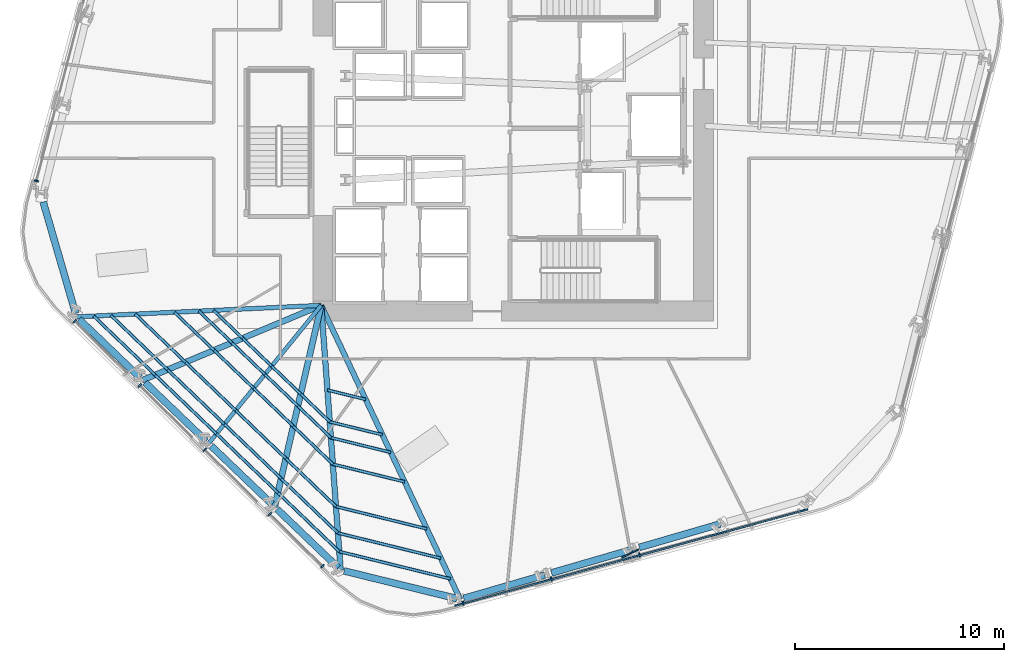
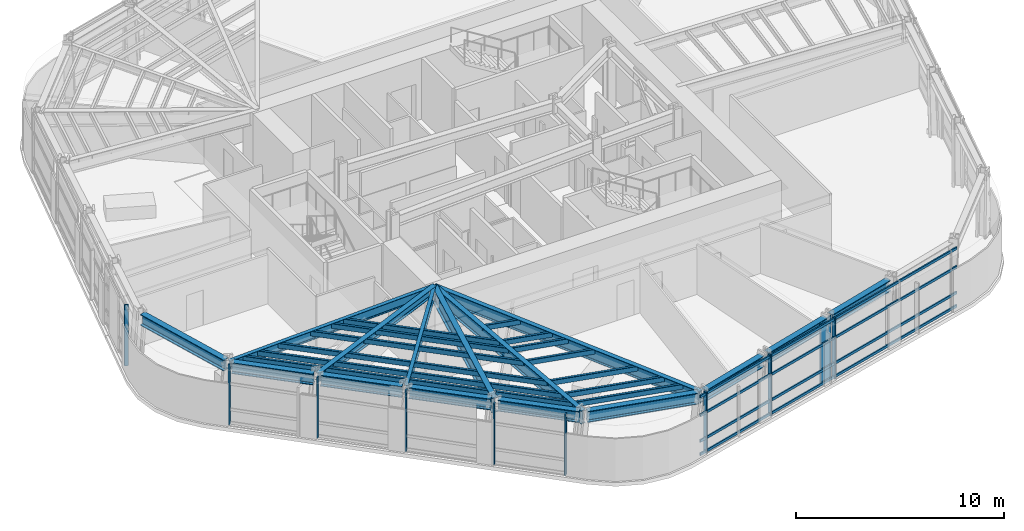
# One storey, part 2 of 16: 45 members, 15 beams, 3 elements without a shape of their own.
"""IFC4 building model written with IfcOpenShell, lengths in metres."""

import ifcopenshell
import ifcopenshell.guid

model = None  # the IFC model being written
_history = None  # IfcOwnerHistory: only IFC2X3 demands one
_inside = {}  # id of a spatial element -> (the spatial element, [elements in it])
_under = {}  # id of a project, library or spatial element -> (it, [spatial elements below it])
_declared = {}  # id of a project -> (the project, [libraries it declares])
_typed = {}  # id of a type object -> (the type object, [elements of that type])
_made_of = {}  # id of a material, layer set ... -> (it, [elements and type objects made of it])


def new_model(schema):
    """Start an empty IFC model of exactly this schema.

    Asked for "IFC4X3", IfcOpenShell would pick the latest addendum, in which some entities
    have other attributes; the version numbers below select the first issue.
    IFC2X3 requires an IfcOwnerHistory on every rooted entity: one is made here for all.
    """
    global model, _history
    if schema == "IFC4X3":
        model = ifcopenshell.file(schema_version=(4, 3, 0, 0))
    else:
        model = ifcopenshell.file(schema=schema)
    _inside.clear()
    _under.clear()
    _declared.clear()
    _typed.clear()
    _made_of.clear()
    _history = None
    if model.schema == "IFC2X3":
        org = make("IfcOrganization", Name="unknown")
        user = make(
            "IfcPersonAndOrganization",
            ThePerson=make("IfcPerson", FamilyName="unknown"),
            TheOrganization=org,
        )
        app = make(
            "IfcApplication",
            ApplicationDeveloper=org,
            Version="unknown",
            ApplicationFullName="unknown",
            ApplicationIdentifier="unknown",
        )
        _history = make(
            "IfcOwnerHistory",
            OwningUser=user,
            OwningApplication=app,
            ChangeAction="ADDED",
            CreationDate=0,
        )
    return model


def make(cls, **values):
    """One entity of the class cls with the attributes given. An attribute that is None is left unset."""
    return model.create_entity(
        cls, **{name: value for name, value in values.items() if value is not None}
    )


def rooted(cls, **values):
    """An entity with a GlobalId (a new one), such as an element, a storey or a relation."""
    return make(cls, GlobalId=ifcopenshell.guid.new(), OwnerHistory=_history, **values)


def si_unit(unit_type, name, prefix=None):
    """IfcSIUnit, for example si_unit("LENGTHUNIT", "METRE", prefix="MILLI")."""
    return make("IfcSIUnit", UnitType=unit_type, Prefix=prefix, Name=name)


def assignment(units):
    """IfcUnitAssignment: the units of a project."""
    return None if units is None else make("IfcUnitAssignment", Units=units)


def point(xyz):
    """IfcCartesianPoint."""
    return None if xyz is None else make("IfcCartesianPoint", Coordinates=xyz)


def direction(xyz):
    """IfcDirection."""
    return None if xyz is None else make("IfcDirection", DirectionRatios=xyz)


def frame(location, z_axis=None, x_axis=None):
    """IfcAxis2Placement3D, a coordinate frame: its origin and axes. An axis left out is left unset."""
    return make(
        "IfcAxis2Placement3D",
        Location=point(location),
        Axis=direction(z_axis),
        RefDirection=direction(x_axis),
    )


def frame_2d(location, x_axis=None):
    """IfcAxis2Placement2D, a coordinate frame in the plane: its origin and x axis."""
    return make(
        "IfcAxis2Placement2D", Location=point(location), RefDirection=direction(x_axis)
    )


def origin():
    """The frame at (0, 0, 0) with its axes left unset."""
    return frame((0.0, 0.0, 0.0))


def origin_2d():
    """The frame at (0, 0) in the plane with its x axis left unset."""
    return frame_2d((0.0, 0.0))


def place(relative_to, where):
    """IfcLocalPlacement: puts the frame where relative to a parent placement (None: the world)."""
    return make(
        "IfcLocalPlacement", PlacementRelTo=relative_to, RelativePlacement=where
    )


def context(
    kind, dimensions, precision=None, world=None, true_north=None, identifier=None
):
    """IfcGeometricRepresentationContext, for example the 3D "Model" context."""
    return make(
        "IfcGeometricRepresentationContext",
        ContextIdentifier=identifier,
        ContextType=kind,
        CoordinateSpaceDimension=dimensions,
        Precision=precision,
        WorldCoordinateSystem=world,
        TrueNorth=true_north,
    )


def subcontext(parent, identifier, kind, view, scale=None):
    """IfcGeometricRepresentationSubContext, for example "Body" below "Model"."""
    return make(
        "IfcGeometricRepresentationSubContext",
        ContextIdentifier=identifier,
        ContextType=kind,
        ParentContext=parent,
        TargetScale=scale,
        TargetView=view,
    )


def project(units=None, contexts=None):
    """IfcProject with its units and contexts."""
    return rooted(
        "IfcProject",
        Name="project",
        RepresentationContexts=contexts,
        UnitsInContext=assignment(units),
    )


def spatial(cls, under=None, at=None, **own):
    """A site, building, storey or space (cls), placed at a placement, below another one or the project."""
    s = rooted(cls, ObjectPlacement=at, **own)
    if under is not None:
        _under.setdefault(under.id(), (under, []))[1].append(s)
    return s


def profile(cls, at=None, kind="AREA", **sizes):
    """A parametric profile (cls). Its sizes go by their IFC names, for example OverallWidth=200.0."""
    return make(cls, ProfileType=kind, Position=at, **sizes)


def rectangle(**sizes):
    """IfcRectangleProfileDef."""
    return profile("IfcRectangleProfileDef", **sizes)


def hollow_rectangle(**sizes):
    """IfcRectangleHollowProfileDef."""
    return profile("IfcRectangleHollowProfileDef", **sizes)


def i_section(**sizes):
    """IfcIShapeProfileDef."""
    return profile("IfcIShapeProfileDef", **sizes)


def extrude(swept, where, along, depth):
    """IfcExtrudedAreaSolid: the profile swept, set in the frame where, extruded along a direction by depth."""
    return make(
        "IfcExtrudedAreaSolid",
        SweptArea=swept,
        Position=where,
        ExtrudedDirection=direction(along),
        Depth=depth,
    )


def shape(context_of_items, identifier, shape_type, items):
    """IfcShapeRepresentation: the items that make up one representation, for example the "Body"."""
    return make(
        "IfcShapeRepresentation",
        ContextOfItems=context_of_items,
        RepresentationIdentifier=identifier,
        RepresentationType=shape_type,
        Items=items,
    )


def material(Name=None, Category=None):
    """IfcMaterial."""
    return make("IfcMaterial", Name=Name, Category=Category)


def layer(
    of_material, thickness, ventilated=None, Name=None, Category=None, Priority=None
):
    """IfcMaterialLayer: one layer of a wall or slab, of a material (None: an air gap)."""
    return make(
        "IfcMaterialLayer",
        Material=of_material,
        LayerThickness=thickness,
        IsVentilated=ventilated,
        Name=Name,
        Category=Category,
        Priority=Priority,
    )


def layer_set(layers, Name=None):
    """IfcMaterialLayerSet."""
    return make("IfcMaterialLayerSet", MaterialLayers=layers, LayerSetName=Name)


def material_profile(
    of_material, cross_section, Name=None, Category=None, Priority=None
):
    """IfcMaterialProfile: a cross section and its material."""
    return make(
        "IfcMaterialProfile",
        Name=Name,
        Material=of_material,
        Profile=cross_section,
        Priority=Priority,
        Category=Category,
    )


def profile_set(profiles, Name=None, composite=None):
    """IfcMaterialProfileSet."""
    return make(
        "IfcMaterialProfileSet",
        Name=Name,
        MaterialProfiles=profiles,
        CompositeProfile=composite,
    )


def made_of(thing, what):
    """Note that an element or type object is made of a material, layer set ...; save() writes the relation."""
    if what is not None:
        _made_of.setdefault(what.id(), (what, []))[1].append(thing)
    return thing


def type_object(cls, material=None, **own):
    """A type object (cls), such as IfcWallType, which elements share."""
    return made_of(rooted(cls, **own), material)


def element(
    cls,
    number,
    at=None,
    inside=None,
    cuts=None,
    type_object=None,
    material=None,
    context=None,
    identifier="Body",
    shape_type=None,
    held_by="IfcProductDefinitionShape",
    body=None,
    shapes=None,
    **own,
):
    """One element of the class cls, such as IfcWall. Its Tag is "e" and its number.

    at: its placement. inside: the storey or other place that contains it. cuts: it is an
    opening in that element (IfcRelVoidsElement). A single representation is given by context,
    identifier, shape_type and body (its items); several are given by shapes. held_by: the class
    of the entity that holds the representations. save() writes the other relations.
    """
    e = rooted(cls, Tag="e%d" % number, ObjectPlacement=at, **own)
    if body is not None:
        shapes = [shape(context, identifier, shape_type, body)]
    if shapes is not None:
        e.Representation = make(held_by, Representations=shapes)
    if inside is not None:
        _inside.setdefault(inside.id(), (inside, []))[1].append(e)
    if cuts is not None:
        rooted(
            "IfcRelVoidsElement", RelatingBuildingElement=cuts, RelatedOpeningElement=e
        )
    if type_object is not None:
        _typed.setdefault(type_object.id(), (type_object, []))[1].append(e)
    return made_of(e, material)


def aggregate(whole, parts):
    """IfcRelAggregates: a whole, such as a stair, and the parts it consists of."""
    return rooted("IfcRelAggregates", RelatingObject=whole, RelatedObjects=parts)


def save(model, path):
    """Write the relations noted so far, then the file.

    IfcRelAggregates (storeys below a building ...), IfcRelContainedInSpatialStructure (elements
    in a storey), IfcRelDefinesByType, IfcRelAssociatesMaterial and IfcRelDeclares: one each for
    every whole, place, type object, material and project.
    """
    for whole, parts in _under.values():
        aggregate(whole, parts)
    for where, things in _inside.values():
        rooted(
            "IfcRelContainedInSpatialStructure",
            RelatedElements=things,
            RelatingStructure=where,
        )
    for kind, things in _typed.values():
        rooted("IfcRelDefinesByType", RelatedObjects=things, RelatingType=kind)
    for what, things in _made_of.values():
        rooted("IfcRelAssociatesMaterial", RelatedObjects=things, RelatingMaterial=what)
    for by, libraries in _declared.values():
        rooted("IfcRelDeclares", RelatingContext=by, RelatedDefinitions=libraries)
    model.write(path)


model = new_model("IFC4")

# Units and contexts
model_context = context("Model", 3, precision=1e-05, world=origin(), true_north=direction((0.0, 1.0)))
body_context = subcontext(model_context, "Body", "Model", "MODEL_VIEW")
ifc_project = project(units=[si_unit("LENGTHUNIT", "METRE"), si_unit("AREAUNIT", "SQUARE_METRE"), si_unit("VOLUMEUNIT", "CUBIC_METRE"), si_unit("PLANEANGLEUNIT", "RADIAN"), si_unit("MASSUNIT", "GRAM", prefix="KILO")], contexts=[model_context])

# Site, building, storey
site_placement = place(None, origin())
site = spatial("IfcSite", under=ifc_project, at=site_placement, CompositionType="ELEMENT")
building_placement = place(site_placement, origin())
building = spatial("IfcBuilding", under=site, at=building_placement, Name="Valkerne Bourse Tower", CompositionType="ELEMENT")
storey_placement = place(building_placement, frame((0.0, 0.0, 89.60009765625)))
storey = spatial("IfcBuildingStorey", under=building, at=storey_placement, Name="L22", CompositionType="ELEMENT", Elevation=89.60009765625)

# Beams
ifc_material_1 = material(Name="Steel ASTM A992", Category="steel")
ifc_material_profile_1 = material_profile(ifc_material_1, i_section(OverallWidth=0.1904296875, OverallDepth=0.457275390625, WebThickness=0.009033203125, FlangeThickness=0.014404296875, FilletRadius=0.01513671875, at=origin_2d()), Name="W18X50")
ifc_profile_set_1 = profile_set([ifc_material_profile_1], Name="Steel ASTM A992")
beam_type_1 = type_object("IfcBeamType", Name="BM-W18X50", PredefinedType="JOIST", material=ifc_profile_set_1)
beam_1_placement = place(storey_placement, frame((32.204345703125, 11.77978515625, 3.351318359375), z_axis=(0.631784296619, 0.775144246283, 0.0), x_axis=(-0.775144246283, 0.631784296619, 0.0)))
element("IfcBeam", 1, at=beam_1_placement, inside=storey, type_object=beam_type_1, Name="L22 Radial Composite Floor Beam 17", PredefinedType="JOIST", context=body_context, shape_type="SweptSolid", body=[
    extrude(i_section(OverallWidth=0.1904296875, OverallDepth=0.457275390625, WebThickness=0.009033203125, FlangeThickness=0.014404296875, FilletRadius=0.01513671875, at=origin_2d()), origin(), (0.0, 0.0, 1.0), 8.54052734375),
])
ifc_material_profile_2 = material_profile(ifc_material_1, i_section(OverallWidth=0.279296875, OverallDepth=0.46240234375, WebThickness=0.0107421875, FlangeThickness=0.017333984375, FilletRadius=0.017822265625, at=origin_2d()), Name="W18X76")
ifc_profile_set_2 = profile_set([ifc_material_profile_2], Name="Steel ASTM A992")
beam_type_2 = type_object("IfcBeamType", Name="BM-W18X76", PredefinedType="BEAM", material=ifc_profile_set_2)
beam_2_placement = place(storey_placement, frame((29.040771484375, 14.8134765625, 3.348876953125), z_axis=(0.922308440975, 0.386454576512, 0.0), x_axis=(-0.386454576512, 0.922308440975, 0.0)))
element("IfcBeam", 2, at=beam_2_placement, inside=storey, type_object=beam_type_2, Name="L22 Radial Composite Floor Beam 16", PredefinedType="BEAM", context=body_context, shape_type="SweptSolid", body=[
    extrude(i_section(OverallWidth=0.279296875, OverallDepth=0.46240234375, WebThickness=0.0107421875, FlangeThickness=0.017333984375, FilletRadius=0.017822265625, at=origin_2d()), origin(), (0.0, 0.0, 1.0), 9.2802734375),
])
ifc_material_profile_3 = material_profile(ifc_material_1, i_section(OverallWidth=0.209228515625, OverallDepth=0.533447265625, WebThickness=0.01025390625, FlangeThickness=0.015625, FilletRadius=0.017822265625, at=origin_2d()), Name="W21X62")
ifc_profile_set_3 = profile_set([ifc_material_profile_3], Name="Steel ASTM A992")
beam_type_3 = type_object("IfcBeamType", Name="BM-W21X62", PredefinedType="JOIST", material=ifc_profile_set_3)
beam_3_placement = place(storey_placement, frame((25.877197265625, 17.84716796875, 3.313232421875), z_axis=(0.998890290193, 0.047097644938, 0.0), x_axis=(-0.047097644938, 0.998890290193, 0.0)))
element("IfcBeam", 3, at=beam_3_placement, inside=storey, type_object=beam_type_3, Name="L22 Radial Composite Floor Beam 15", PredefinedType="JOIST", context=body_context, shape_type="SweptSolid", body=[
    extrude(i_section(OverallWidth=0.209228515625, OverallDepth=0.533447265625, WebThickness=0.01025390625, FlangeThickness=0.015625, FilletRadius=0.017822265625, at=origin_2d()), origin(), (0.0, 0.0, 1.0), 11.73583984375),
])
ifc_material_profile_4 = material_profile(ifc_material_1, i_section(OverallWidth=0.330078125, OverallDepth=0.647705078125, WebThickness=0.0205078125, FlangeThickness=0.037109375, FilletRadius=0.020263671875, at=origin_2d()), Name="W24X192")
ifc_profile_set_4 = profile_set([ifc_material_profile_4], Name="Steel ASTM A992")
beam_type_4 = type_object("IfcBeamType", Name="BM-W24X192", PredefinedType="SPANDREL", material=ifc_profile_set_4)
beam_4_placement = place(storey_placement, frame((24.27734375, 23.35400390625, 3.256103515625), z_axis=(0.279000763263, -0.960290879941, 0.0), x_axis=(0.960290879941, 0.279000763263, 0.0)))
element("IfcBeam", 4, at=beam_4_placement, inside=storey, type_object=beam_type_4, Name="L22 Hexagonal Spandrel Ring Beam 14", PredefinedType="SPANDREL", context=body_context, shape_type="SweptSolid", body=[
    extrude(i_section(OverallWidth=0.330078125, OverallDepth=0.647705078125, WebThickness=0.0205078125, FlangeThickness=0.037109375, FilletRadius=0.020263671875, at=origin_2d()), origin(), (0.0, 0.0, 1.0), 5.564453125),
])
beam_5_placement = place(storey_placement, frame((26.0, 17.7294921875, 3.256103515625), z_axis=(0.721775759784, -0.692126977215, 0.0), x_axis=(0.692126977215, 0.721775759784, 0.0)))
element("IfcBeam", 5, at=beam_5_placement, inside=storey, type_object=beam_type_4, Name="L22 Hexagonal Spandrel Ring Beam 15", PredefinedType="SPANDREL", context=body_context, shape_type="SweptSolid", body=[
    extrude(i_section(OverallWidth=0.330078125, OverallDepth=0.647705078125, WebThickness=0.0205078125, FlangeThickness=0.037109375, FilletRadius=0.020263671875, at=origin_2d()), origin(), (0.0, 0.0, 1.0), 4.043212890625),
])
beam_6_placement = place(storey_placement, frame((29.16357421875, 14.69580078125, 3.256103515625), z_axis=(0.721746831324, -0.692157143627, 0.0), x_axis=(0.692157143627, 0.721746831324, 0.0)))
element("IfcBeam", 6, at=beam_6_placement, inside=storey, type_object=beam_type_4, Name="L22 Hexagonal Spandrel Ring Beam 16", PredefinedType="SPANDREL", context=body_context, shape_type="SweptSolid", body=[
    extrude(i_section(OverallWidth=0.330078125, OverallDepth=0.647705078125, WebThickness=0.0205078125, FlangeThickness=0.037109375, FilletRadius=0.020263671875, at=origin_2d()), origin(), (0.0, 0.0, 1.0), 4.04296875),
])
beam_7_placement = place(storey_placement, frame((32.326904296875, 11.662109375, 3.256103515625), z_axis=(0.721775759784, -0.692126977215, 0.0), x_axis=(0.692126977215, 0.721775759784, 0.0)))
element("IfcBeam", 7, at=beam_7_placement, inside=storey, type_object=beam_type_4, Name="L22 Hexagonal Spandrel Ring Beam 17", PredefinedType="SPANDREL", context=body_context, shape_type="SweptSolid", body=[
    extrude(i_section(OverallWidth=0.330078125, OverallDepth=0.647705078125, WebThickness=0.0205078125, FlangeThickness=0.037109375, FilletRadius=0.020263671875, at=origin_2d()), origin(), (0.0, 0.0, 1.0), 4.043212890625),
])
beam_8_placement = place(storey_placement, frame((35.490478515625, 8.62841796875, 3.256103515625), z_axis=(0.721746831324, -0.692157143627, 0.0), x_axis=(0.692157143627, 0.721746831324, 0.0)))
element("IfcBeam", 8, at=beam_8_placement, inside=storey, type_object=beam_type_4, Name="L22 Hexagonal Spandrel Ring Beam 18", PredefinedType="SPANDREL", context=body_context, shape_type="SweptSolid", body=[
    extrude(i_section(OverallWidth=0.330078125, OverallDepth=0.647705078125, WebThickness=0.0205078125, FlangeThickness=0.037109375, FilletRadius=0.020263671875, at=origin_2d()), origin(), (0.0, 0.0, 1.0), 4.04296875),
])
beam_9_placement = place(storey_placement, frame((38.6962890625, 5.671875, 3.256103515625), z_axis=(0.971133034573, -0.238538527625, 0.0), x_axis=(0.238538527625, 0.971133034573, 0.0)))
element("IfcBeam", 9, at=beam_9_placement, inside=storey, type_object=beam_type_4, Name="L22 Hexagonal Spandrel Ring Beam 19", PredefinedType="SPANDREL", context=body_context, shape_type="SweptSolid", body=[
    extrude(i_section(OverallWidth=0.330078125, OverallDepth=0.647705078125, WebThickness=0.0205078125, FlangeThickness=0.037109375, FilletRadius=0.020263671875, at=origin_2d()), origin(), (0.0, 0.0, 1.0), 5.564697265625),
])
for number, where, z_axis, x_axis, name in (
    (10, (44.4287109375, 4.351318359375, 3.256103515625), (0.960276827119, 0.279049127035, 0.0), (-0.279049127035, 0.960276827119, 0.0), "L22 Hexagonal Spandrel Ring Beam 20"),
    (11, (48.6376953125, 5.57421875, 3.256103515625), (0.96029300739, 0.278993440708, 0.0), (-0.278993440708, 0.96029300739, 0.0), "L22 Hexagonal Spandrel Ring Beam 21"),
    (12, (52.8466796875, 6.797119140625, 3.256103515625), (0.96029300739, 0.278993440708, 0.0), (-0.278993440708, 0.96029300739, 0.0), "L22 Hexagonal Spandrel Ring Beam 22"),
):
    element("IfcBeam", number, at=place(storey_placement, frame(where, z_axis=z_axis, x_axis=x_axis)), inside=storey, type_object=beam_type_4, Name=name, PredefinedType="SPANDREL", context=body_context, shape_type="SweptSolid", body=[
        extrude(i_section(OverallWidth=0.330078125, OverallDepth=0.647705078125, WebThickness=0.0205078125, FlangeThickness=0.037109375, FilletRadius=0.020263671875, at=origin_2d()), origin(), (0.0, 0.0, 1.0), 4.04296875),
    ])
ifc_material_profile_5 = material_profile(ifc_material_1, i_section(OverallWidth=0.255859375, OverallDepth=0.693359375, WebThickness=0.014404296875, FlangeThickness=0.023681640625, FilletRadius=0.02294921875, at=origin_2d()), Name="W27X114")
ifc_profile_set_5 = profile_set([ifc_material_profile_5], Name="Steel ASTM A992")
beam_type_5 = type_object("IfcBeamType", Name="BM-W27X114", PredefinedType="BEAM", material=ifc_profile_set_5)
beam_10_placement = place(storey_placement, frame((44.265380859375, 4.303955078125, 3.233154296875), z_axis=(-0.427471060624, 0.904029032902, 0.0), x_axis=(-0.904029032902, -0.427471060624, 0.0)))
element("IfcBeam", 13, at=beam_10_placement, inside=storey, type_object=beam_type_5, Name="L22 Radial Composite Floor Beam 20", PredefinedType="BEAM", context=body_context, shape_type="SweptSolid", body=[
    extrude(i_section(OverallWidth=0.255859375, OverallDepth=0.693359375, WebThickness=0.014404296875, FlangeThickness=0.023681640625, FilletRadius=0.02294921875, at=origin_2d()), origin(), (0.0, 0.0, 1.0), 15.59228515625),
])
ifc_material_profile_6 = material_profile(ifc_material_1, i_section(OverallWidth=0.26806640625, OverallDepth=0.76953125, WebThickness=0.015625, FlangeThickness=0.025390625, FilletRadius=0.025390625, at=origin_2d()), Name="W30X132")
ifc_profile_set_6 = profile_set([ifc_material_profile_6], Name="Steel ASTM A992")
beam_type_6 = type_object("IfcBeamType", Name="BM-W30X132", PredefinedType="BEAM", material=ifc_profile_set_6)
beam_11_placement = place(storey_placement, frame((38.53125, 5.71240234375, 3.195068359375), z_axis=(-0.073194459334, 0.997317688163, 0.0), x_axis=(-0.997317688163, -0.073194459334, 0.0)))
element("IfcBeam", 14, at=beam_11_placement, inside=storey, type_object=beam_type_6, Name="L22 Radial Composite Floor Beam 19", PredefinedType="BEAM", context=body_context, shape_type="SweptSolid", body=[
    extrude(i_section(OverallWidth=0.26806640625, OverallDepth=0.76953125, WebThickness=0.015625, FlangeThickness=0.025390625, FilletRadius=0.025390625, at=origin_2d()), origin(), (0.0, 0.0, 1.0), 12.7216796875),
])
ifc_material_profile_7 = material_profile(ifc_material_1, i_section(OverallWidth=0.2919921875, OverallDepth=0.8583984375, WebThickness=0.01708984375, FlangeThickness=0.031005859375, FilletRadius=0.025390625, at=origin_2d()), Name="W33X169")
ifc_profile_set_7 = profile_set([ifc_material_profile_7], Name="Steel ASTM A992")
beam_type_7 = type_object("IfcBeamType", Name="BM-W33X169", PredefinedType="BEAM", material=ifc_profile_set_7)
beam_12_placement = place(storey_placement, frame((35.367919921875, 8.74609375, 3.150634765625), z_axis=(0.225278772325, 0.974294347074, 0.0), x_axis=(-0.974294347074, 0.225278772325, 0.0)))
element("IfcBeam", 15, at=beam_12_placement, inside=storey, type_object=beam_type_7, Name="L22 Radial Composite Floor Beam 18", PredefinedType="BEAM", context=body_context, shape_type="SweptSolid", body=[
    extrude(i_section(OverallWidth=0.2919921875, OverallDepth=0.8583984375, WebThickness=0.01708984375, FlangeThickness=0.031005859375, FilletRadius=0.025390625, at=origin_2d()), origin(), (0.0, 0.0, 1.0), 9.908447265625),
])

# Curtain wall, member
ifc_material_2 = material(Name="Aluminium AA 6063-T6", Category="aluminium")
ifc_layer = layer(ifc_material_2, 0.22998046875)
ifc_layer_set = layer_set([ifc_layer], Name="Aluminium AA 6063-T6")
curtain_wall_type = type_object("IfcCurtainWallType", Name="CW-02", PredefinedType="NOTDEFINED", material=ifc_layer_set)
curtain_wall_1_placement = place(storey_placement, origin())
curtain_wall_1 = element("IfcCurtainWall", 16, at=curtain_wall_1_placement, inside=storey, type_object=curtain_wall_type, Name="L22 Hexagonal Stick Curtain Wall Face 3", PredefinedType="NOTDEFINED")
ifc_material_profile_8 = material_profile(ifc_material_2, rectangle(XDim=0.074951171875, YDim=0.199951171875, at=origin_2d()), Name="CWM-75X200")
ifc_profile_set_8 = profile_set([ifc_material_profile_8], Name="Aluminium AA 6063-T6")
member_type_1 = type_object("IfcMemberType", Name="CW-MUL-220X75", PredefinedType="MULLION", material=ifc_profile_set_8)
member_1_placement = place(storey_placement, frame((23.955810546875, 24.364501953125, 0.0), z_axis=(0.0, 0.0, 1.0), x_axis=(-0.253755382081, -0.967268425033, 0.0)))
member_1 = element("IfcMember", 17, at=member_1_placement, type_object=member_type_1, Name="CW-L22-F3 Jamb Mullion 03B", PredefinedType="MULLION", context=body_context, shape_type="SweptSolid", body=[
    extrude(rectangle(XDim=0.074951171875, YDim=0.199951171875, at=origin_2d()), origin(), (0.0, 0.0, 1.0), 3.579833984375),
])
aggregate(curtain_wall_1, [member_1])

# Curtain wall, members
curtain_wall_2_placement = place(storey_placement, origin())
curtain_wall_2 = element("IfcCurtainWall", 18, at=curtain_wall_2_placement, inside=storey, type_object=curtain_wall_type, Name="L22 Hexagonal Stick Curtain Wall Face 4", PredefinedType="NOTDEFINED")
member_2_placement = place(storey_placement, frame((25.79541015625, 17.6396484375, 0.0), z_axis=(0.0, 0.0, 1.0), x_axis=(0.710804515933, -0.703389607635, 0.0)))
member_2 = element("IfcMember", 19, at=member_2_placement, type_object=member_type_1, Name="CW-L22-F4 Jamb Mullion 00A", PredefinedType="MULLION", context=body_context, shape_type="SweptSolid", body=[
    extrude(rectangle(XDim=0.074951171875, YDim=0.199951171875, at=origin_2d()), origin(), (0.0, 0.0, 1.0), 3.579833984375),
])
member_3_placement = place(storey_placement, frame((28.910888671875, 14.556640625, 0.0), z_axis=(0.0, 0.0, 1.0), x_axis=(0.710804634929, -0.703389487385, 0.0)))
member_3 = element("IfcMember", 20, at=member_3_placement, type_object=member_type_1, Name="CW-L22-F4 Jamb Mullion 01A", PredefinedType="MULLION", context=body_context, shape_type="SweptSolid", body=[
    extrude(rectangle(XDim=0.074951171875, YDim=0.199951171875, at=origin_2d()), origin(), (0.0, 0.0, 1.0), 3.579833984375),
])
member_4_placement = place(storey_placement, frame((32.0263671875, 11.473876953125, 0.0), z_axis=(0.0, 0.0, 1.0), x_axis=(0.710793227719, -0.703401014663, 0.0)))
member_4 = element("IfcMember", 21, at=member_4_placement, type_object=member_type_1, Name="CW-L22-F4 Jamb Mullion 02A", PredefinedType="MULLION", context=body_context, shape_type="SweptSolid", body=[
    extrude(rectangle(XDim=0.074951171875, YDim=0.199951171875, at=origin_2d()), origin(), (0.0, 0.0, 1.0), 3.579833984375),
])
member_5_placement = place(storey_placement, frame((35.141845703125, 8.390869140625, 0.0), z_axis=(0.0, 0.0, 1.0), x_axis=(0.710804515933, -0.703389607635, 0.0)))
member_5 = element("IfcMember", 22, at=member_5_placement, type_object=member_type_1, Name="CW-L22-F4 Jamb Mullion 03A", PredefinedType="MULLION", context=body_context, shape_type="SweptSolid", body=[
    extrude(rectangle(XDim=0.074951171875, YDim=0.199951171875, at=origin_2d()), origin(), (0.0, 0.0, 1.0), 3.579833984375),
])
member_6_placement = place(storey_placement, frame((37.66015625, 5.898681640625, 0.0), z_axis=(0.0, 0.0, 1.0), x_axis=(0.710804515933, -0.703389607635, 0.0)))
member_6 = element("IfcMember", 23, at=member_6_placement, type_object=member_type_1, Name="CW-L22-F4 Jamb Mullion 03B", PredefinedType="MULLION", context=body_context, shape_type="SweptSolid", body=[
    extrude(rectangle(XDim=0.074951171875, YDim=0.199951171875, at=origin_2d()), origin(), (0.0, 0.0, 1.0), 3.579833984375),
])
aggregate(curtain_wall_2, [member_2, member_3, member_4, member_5, member_6])

curtain_wall_3_placement = place(storey_placement, origin())
curtain_wall_3 = element("IfcCurtainWall", 24, at=curtain_wall_3_placement, inside=storey, type_object=curtain_wall_type, Name="L22 Hexagonal Stick Curtain Wall Face 5", PredefinedType="NOTDEFINED")
member_7_placement = place(storey_placement, frame((44.404052734375, 4.12939453125, 0.0), z_axis=(0.0, 0.0, 1.0), x_axis=(0.964559769508, 0.263864455822, 0.0)))
member_7 = element("IfcMember", 25, at=member_7_placement, type_object=member_type_1, Name="CW-L22-F5 Jamb Mullion 00A", PredefinedType="MULLION", context=body_context, shape_type="SweptSolid", body=[
    extrude(rectangle(XDim=0.074951171875, YDim=0.199951171875, at=origin_2d()), origin(), (0.0, 0.0, 1.0), 3.579833984375),
])
member_8_placement = place(storey_placement, frame((48.631591796875, 5.285888671875, 0.0), z_axis=(0.0, 0.0, 1.0), x_axis=(0.964555551125, 0.26387987569, 0.0)))
member_8 = element("IfcMember", 26, at=member_8_placement, type_object=member_type_1, Name="CW-L22-F5 Jamb Mullion 01A", PredefinedType="MULLION", context=body_context, shape_type="SweptSolid", body=[
    extrude(rectangle(XDim=0.074951171875, YDim=0.199951171875, at=origin_2d()), origin(), (0.0, 0.0, 1.0), 3.579833984375),
])
member_9_placement = place(storey_placement, frame((52.859375, 6.442626953125, 0.0), z_axis=(0.0, 0.0, 1.0), x_axis=(0.964559769508, 0.263864455822, 0.0)))
member_9 = element("IfcMember", 27, at=member_9_placement, type_object=member_type_1, Name="CW-L22-F5 Jamb Mullion 02A", PredefinedType="MULLION", context=body_context, shape_type="SweptSolid", body=[
    extrude(rectangle(XDim=0.074951171875, YDim=0.199951171875, at=origin_2d()), origin(), (0.0, 0.0, 1.0), 3.579833984375),
])
ifc_material_profile_9 = material_profile(ifc_material_2, rectangle(XDim=0.074951171875, YDim=0.14990234375, at=origin_2d()), Name="CWT-75X150")
ifc_profile_set_9 = profile_set([ifc_material_profile_9], Name="Aluminium AA 6063-T6")
member_type_2 = type_object("IfcMemberType", Name="CW-TRN-180X65", PredefinedType="USERDEFINED", material=ifc_profile_set_9)
member_10_placement = place(storey_placement, frame((44.004150390625, 3.99951171875, 0.119873046875), z_axis=(0.964561080844, 0.26385966217, 0.0), x_axis=(-0.26385966217, 0.964561080844, 0.0)))
member_10 = element("IfcMember", 28, at=member_10_placement, type_object=member_type_2, Name="CW-L22-F5 Continuous Face Transom 1", ObjectType="TRANSOM", PredefinedType="USERDEFINED", context=body_context, shape_type="SweptSolid", body=[
    extrude(rectangle(XDim=0.074951171875, YDim=0.14990234375, at=origin_2d()), origin(), (0.0, 0.0, 1.0), 17.531982421875),
])
member_11_placement = place(storey_placement, frame((44.004150390625, 3.99951171875, 0.89990234375), z_axis=(0.964561080844, 0.26385966217, 0.0), x_axis=(-0.26385966217, 0.964561080844, 0.0)))
member_11 = element("IfcMember", 29, at=member_11_placement, type_object=member_type_2, Name="CW-L22-F5 Continuous Face Transom 2", ObjectType="TRANSOM", PredefinedType="USERDEFINED", context=body_context, shape_type="SweptSolid", body=[
    extrude(rectangle(XDim=0.074951171875, YDim=0.14990234375, at=origin_2d()), origin(), (0.0, 0.0, 1.0), 17.531982421875),
])
member_12_placement = place(storey_placement, frame((44.004150390625, 3.99951171875, 2.39990234375), z_axis=(0.964561080844, 0.26385966217, 0.0), x_axis=(-0.26385966217, 0.964561080844, 0.0)))
member_12 = element("IfcMember", 30, at=member_12_placement, type_object=member_type_2, Name="CW-L22-F5 Continuous Face Transom 3", ObjectType="TRANSOM", PredefinedType="USERDEFINED", context=body_context, shape_type="SweptSolid", body=[
    extrude(rectangle(XDim=0.074951171875, YDim=0.14990234375, at=origin_2d()), origin(), (0.0, 0.0, 1.0), 17.531982421875),
])
member_13_placement = place(storey_placement, frame((44.004150390625, 3.99951171875, 3.5), z_axis=(0.964561080844, 0.26385966217, 0.0), x_axis=(-0.26385966217, 0.964561080844, 0.0)))
member_13 = element("IfcMember", 31, at=member_13_placement, type_object=member_type_2, Name="CW-L22-F5 Continuous Face Transom 4", ObjectType="TRANSOM", PredefinedType="USERDEFINED", context=body_context, shape_type="SweptSolid", body=[
    extrude(rectangle(XDim=0.074951171875, YDim=0.14990234375, at=origin_2d()), origin(), (0.0, 0.0, 1.0), 17.531982421875),
])
aggregate(curtain_wall_3, [member_10, member_11, member_12, member_13, member_7, member_8, member_9])

# Members
ifc_material_3 = material(Name="Bronze Anodised Aluminium AA 6063-T6", Category="aluminium")
ifc_material_profile_10 = material_profile(ifc_material_3, rectangle(XDim=0.070068359375, YDim=0.89990234375, at=origin_2d()), Name="FIN-70X900")
ifc_profile_set_10 = profile_set([ifc_material_profile_10], Name="Bronze Anodised Aluminium AA 6063-T6")
member_type_3 = type_object("IfcMemberType", Name="FIN-SOLAR-900", PredefinedType="USERDEFINED", material=ifc_profile_set_10)
member_14_placement = place(storey_placement, frame((52.40673828125, 6.50537109375, 0.00390625), z_axis=(0.0, 0.0, 1.0), x_axis=(0.434482059013, -0.900680487407, 0.0)))
element("IfcMember", 32, at=member_14_placement, inside=storey, type_object=member_type_3, Name="L22 Bronze Anodised Solar Fin F5-02", ObjectType="SOLAR_FIN", PredefinedType="USERDEFINED", context=body_context, shape_type="SweptSolid", body=[
    extrude(rectangle(XDim=0.070068359375, YDim=0.89990234375, at=origin_2d()), origin(), (0.0, 0.0, 1.0), 3.572021484375),
])
ifc_material_4 = material(Name="Steel ASTM A500 Grade C", Category="steel")
ifc_material_profile_11 = material_profile(ifc_material_4, hollow_rectangle(XDim=0.14990234375, YDim=0.300048828125, WallThickness=0.012451171875, OuterFilletRadius=0.02490234375, at=origin_2d()), Name="HSS300X150X12.5")
ifc_profile_set_11 = profile_set([ifc_material_profile_11], Name="Steel ASTM A500 Grade C")
member_type_4 = type_object("IfcMemberType", Name="MBR-HSS300X150X12.5", PredefinedType="PURLIN", material=ifc_profile_set_11)
member_15_placement = place(storey_placement, frame((37.89794921875, 14.340087890625, 3.419921875), z_axis=(0.971137472435, -0.238520459568, 0.0), x_axis=(0.238520459568, 0.971137472435, 0.0)))
element("IfcMember", 33, at=member_15_placement, inside=storey, type_object=member_type_4, Name="L22 Secondary Composite Floor Purlin I-19", PredefinedType="PURLIN", context=body_context, shape_type="SweptSolid", body=[
    extrude(hollow_rectangle(XDim=0.14990234375, YDim=0.300048828125, WallThickness=0.012451171875, OuterFilletRadius=0.02490234375, at=origin_2d()), origin(), (0.0, 0.0, 1.0), 1.889404296875),
])
for number, where, z_axis, x_axis, name in (
    (34, (32.44189453125, 18.15673828125, 3.419921875), (0.721824818927, -0.692075812886, 0.0), (0.692075812886, 0.721824818927, 0.0), "L22 Secondary Composite Floor Purlin K-15"),
    (35, (33.833984375, 16.822021484375, 3.419921875), (0.721700933757, -0.692205000137, 0.0), (0.692205000137, 0.721700933757, 0.0), "L22 Secondary Composite Floor Purlin K-16"),
    (36, (35.225830078125, 15.487060546875, 3.419921875), (0.721824818927, -0.692075812886, 0.0), (0.692075812886, 0.721824818927, 0.0), "L22 Secondary Composite Floor Purlin K-17"),
    (37, (36.617919921875, 14.15234375, 3.419921875), (0.721700933757, -0.692205000137, 0.0), (0.692205000137, 0.721700933757, 0.0), "L22 Secondary Composite Floor Purlin K-18"),
):
    element("IfcMember", number, at=place(storey_placement, frame(where, z_axis=z_axis, x_axis=x_axis)), inside=storey, type_object=member_type_4, Name=name, PredefinedType="PURLIN", context=body_context, shape_type="SweptSolid", body=[
        extrude(hollow_rectangle(XDim=0.14990234375, YDim=0.300048828125, WallThickness=0.012451171875, OuterFilletRadius=0.02490234375, at=origin_2d()), origin(), (0.0, 0.0, 1.0), 1.928466796875),
    ])
member_16_placement = place(storey_placement, frame((38.009765625, 12.8173828125, 3.419921875), z_axis=(0.971140241166, -0.238509186383, 0.0), x_axis=(0.238509186383, 0.971140241166, 0.0)))
element("IfcMember", 38, at=member_16_placement, inside=storey, type_object=member_type_4, Name="L22 Secondary Composite Floor Purlin K-19", PredefinedType="PURLIN", context=body_context, shape_type="SweptSolid", body=[
    extrude(hollow_rectangle(XDim=0.14990234375, YDim=0.300048828125, WallThickness=0.012451171875, OuterFilletRadius=0.02490234375, at=origin_2d()), origin(), (0.0, 0.0, 1.0), 2.597900390625),
])
for number, where, z_axis, x_axis, name in (
    (39, (31.738525390625, 18.12353515625, 3.419921875), (0.721767886663, -0.692135187504, 0.0), (0.692135187504, 0.721767886663, 0.0), "L22 Secondary Composite Floor Purlin M-15"),
    (40, (33.3203125, 16.606689453125, 3.419921875), (0.721767886663, -0.692135187504, 0.0), (0.692135187504, 0.721767886663, 0.0), "L22 Secondary Composite Floor Purlin M-16"),
    (41, (34.902099609375, 15.08984375, 3.419921875), (0.721767886663, -0.692135187504, 0.0), (0.692135187504, 0.721767886663, 0.0), "L22 Secondary Composite Floor Purlin M-17"),
    (42, (36.48388671875, 13.572998046875, 3.419921875), (0.721767886663, -0.692135187504, 0.0), (0.692135187504, 0.721767886663, 0.0), "L22 Secondary Composite Floor Purlin M-18"),
):
    element("IfcMember", number, at=place(storey_placement, frame(where, z_axis=z_axis, x_axis=x_axis)), inside=storey, type_object=member_type_4, Name=name, PredefinedType="PURLIN", context=body_context, shape_type="SweptSolid", body=[
        extrude(hollow_rectangle(XDim=0.14990234375, YDim=0.300048828125, WallThickness=0.012451171875, OuterFilletRadius=0.02490234375, at=origin_2d()), origin(), (0.0, 0.0, 1.0), 2.191650390625),
    ])
member_17_placement = place(storey_placement, frame((38.065673828125, 12.05615234375, 3.419921875), z_axis=(0.971141127192, -0.238505578712, 0.0), x_axis=(0.238505578712, 0.971141127192, 0.0)))
element("IfcMember", 43, at=member_17_placement, inside=storey, type_object=member_type_4, Name="L22 Secondary Composite Floor Purlin M-19", PredefinedType="PURLIN", context=body_context, shape_type="SweptSolid", body=[
    extrude(hollow_rectangle(XDim=0.14990234375, YDim=0.300048828125, WallThickness=0.012451171875, OuterFilletRadius=0.02490234375, at=origin_2d()), origin(), (0.0, 0.0, 1.0), 2.9521484375),
])
for number, where, z_axis, x_axis, name in (
    (44, (28.690673828125, 17.979736328125, 3.419921875), (0.721792904307, -0.692109097824, 0.0), (0.692109097824, 0.721792904307, 0.0), "L22 Secondary Composite Floor Purlin O-15"),
    (45, (31.094970703125, 15.67431640625, 3.419921875), (0.721756290771, -0.692147279654, 0.0), (0.692147279654, 0.721756290771, 0.0), "L22 Secondary Composite Floor Purlin O-16"),
    (46, (33.499267578125, 13.36865234375, 3.419921875), (0.721756290771, -0.692147279654, 0.0), (0.692147279654, 0.721756290771, 0.0), "L22 Secondary Composite Floor Purlin O-17"),
    (47, (35.903564453125, 11.06298828125, 3.419921875), (0.721721177278, -0.69218389339, 0.0), (0.69218389339, 0.721721177278, 0.0), "L22 Secondary Composite Floor Purlin O-18"),
):
    element("IfcMember", number, at=place(storey_placement, frame(where, z_axis=z_axis, x_axis=x_axis)), inside=storey, type_object=member_type_4, Name=name, PredefinedType="PURLIN", context=body_context, shape_type="SweptSolid", body=[
        extrude(hollow_rectangle(XDim=0.14990234375, YDim=0.300048828125, WallThickness=0.012451171875, OuterFilletRadius=0.02490234375, at=origin_2d()), origin(), (0.0, 0.0, 1.0), 3.3310546875),
    ])
member_18_placement = place(storey_placement, frame((38.3076171875, 8.75732421875, 3.419921875), z_axis=(0.971142170192, -0.238501331809, 0.0), x_axis=(0.238501331809, 0.971142170192, 0.0)))
element("IfcMember", 48, at=member_18_placement, inside=storey, type_object=member_type_4, Name="L22 Secondary Composite Floor Purlin O-19", PredefinedType="PURLIN", context=body_context, shape_type="SweptSolid", body=[
    extrude(hollow_rectangle(XDim=0.14990234375, YDim=0.300048828125, WallThickness=0.012451171875, OuterFilletRadius=0.02490234375, at=origin_2d()), origin(), (0.0, 0.0, 1.0), 4.487548828125),
])
for number, where, z_axis, x_axis, name in (
    (49, (30.56640625, 18.068359375, 3.419921875), (0.721758230892, -0.692145256532, 0.0), (0.692145256532, 0.721758230892, 0.0), "L22 Secondary Composite Floor Purlin Z-15"),
    (50, (32.464599609375, 16.248046875, 3.419921875), (0.721713754506, -0.692191632827, 0.0), (0.692191632827, 0.721713754506, 0.0), "L22 Secondary Composite Floor Purlin Z-16"),
    (51, (34.362548828125, 14.427734375, 3.419921875), (0.721804606869, -0.692096893146, 0.0), (0.692096893146, 0.721804606869, 0.0), "L22 Secondary Composite Floor Purlin Z-17"),
    (52, (36.2607421875, 12.607666015625, 3.419921875), (0.721713754506, -0.692191632827, 0.0), (0.692191632827, 0.721713754506, 0.0), "L22 Secondary Composite Floor Purlin Z-18"),
):
    element("IfcMember", number, at=place(storey_placement, frame(where, z_axis=z_axis, x_axis=x_axis)), inside=storey, type_object=member_type_4, Name=name, PredefinedType="PURLIN", context=body_context, shape_type="SweptSolid", body=[
        extrude(hollow_rectangle(XDim=0.14990234375, YDim=0.300048828125, WallThickness=0.012451171875, OuterFilletRadius=0.02490234375, at=origin_2d()), origin(), (0.0, 0.0, 1.0), 2.6298828125),
    ])
member_19_placement = place(storey_placement, frame((38.15869140625, 10.787353515625, 3.419921875), z_axis=(0.971139502822, -0.238512192682, 0.0), x_axis=(0.238512192682, 0.971139502822, 0.0)))
element("IfcMember", 53, at=member_19_placement, inside=storey, type_object=member_type_4, Name="L22 Secondary Composite Floor Purlin Z-19", PredefinedType="PURLIN", context=body_context, shape_type="SweptSolid", body=[
    extrude(hollow_rectangle(XDim=0.14990234375, YDim=0.300048828125, WallThickness=0.012451171875, OuterFilletRadius=0.02490234375, at=origin_2d()), origin(), (0.0, 0.0, 1.0), 3.542724609375),
])
for number, where, z_axis, x_axis, name in (
    (54, (27.5185546875, 17.924560546875, 3.419921875), (0.721719872777, -0.692185253555, 0.0), (0.692185253555, 0.721719872777, 0.0), "L22 Secondary Composite Floor Purlin T-15"),
    (55, (30.239013671875, 15.3154296875, 3.419921875), (0.721783257935, -0.692119157779, 0.0), (0.692119157779, 0.721783257935, 0.0), "L22 Secondary Composite Floor Purlin T-16"),
    (56, (32.959716796875, 12.70654296875, 3.419921875), (0.721783257935, -0.692119157779, 0.0), (0.692119157779, 0.721783257935, 0.0), "L22 Secondary Composite Floor Purlin T-17"),
):
    element("IfcMember", number, at=place(storey_placement, frame(where, z_axis=z_axis, x_axis=x_axis)), inside=storey, type_object=member_type_4, Name=name, PredefinedType="PURLIN", context=body_context, shape_type="SweptSolid", body=[
        extrude(hollow_rectangle(XDim=0.14990234375, YDim=0.300048828125, WallThickness=0.012451171875, OuterFilletRadius=0.02490234375, at=origin_2d()), origin(), (0.0, 0.0, 1.0), 3.76953125),
    ])
member_20_placement = place(storey_placement, frame((35.680419921875, 10.09765625, 3.419921875), z_axis=(0.721752229641, -0.692151514488, 0.0), x_axis=(0.692151514488, 0.721752229641, 0.0)))
element("IfcMember", 57, at=member_20_placement, inside=storey, type_object=member_type_4, Name="L22 Secondary Composite Floor Purlin T-18", PredefinedType="PURLIN", context=body_context, shape_type="SweptSolid", body=[
    extrude(hollow_rectangle(XDim=0.14990234375, YDim=0.300048828125, WallThickness=0.012451171875, OuterFilletRadius=0.02490234375, at=origin_2d()), origin(), (0.0, 0.0, 1.0), 3.769287109375),
])
member_21_placement = place(storey_placement, frame((38.40087890625, 7.48876953125, 3.419921875), z_axis=(0.971127043171, -0.238562918373, 0.0), x_axis=(0.238562918373, 0.971127043171, 0.0)))
element("IfcMember", 58, at=member_21_placement, inside=storey, type_object=member_type_4, Name="L22 Secondary Composite Floor Purlin T-19", PredefinedType="PURLIN", context=body_context, shape_type="SweptSolid", body=[
    extrude(hollow_rectangle(XDim=0.14990234375, YDim=0.300048828125, WallThickness=0.012451171875, OuterFilletRadius=0.02490234375, at=origin_2d()), origin(), (0.0, 0.0, 1.0), 5.078125),
])
for number, where, z_axis, x_axis, name in (
    (59, (26.697998046875, 17.8857421875, 3.419921875), (0.721746300583, -0.692157697057, 0.0), (0.692157697057, 0.721746300583, 0.0), "L22 Secondary Composite Floor Purlin U-15"),
    (60, (29.639892578125, 15.064453125, 3.419921875), (0.721774993814, -0.692127775995, 0.0), (0.692127775995, 0.721774993814, 0.0), "L22 Secondary Composite Floor Purlin U-16"),
    (61, (32.58203125, 12.2431640625, 3.419921875), (0.721774993814, -0.692127775995, 0.0), (0.692127775995, 0.721774993814, 0.0), "L22 Secondary Composite Floor Purlin U-17"),
    (62, (35.524169921875, 9.421875, 3.419921875), (0.721746300583, -0.692157697057, 0.0), (0.692157697057, 0.721746300583, 0.0), "L22 Secondary Composite Floor Purlin U-18"),
):
    element("IfcMember", number, at=place(storey_placement, frame(where, z_axis=z_axis, x_axis=x_axis)), inside=storey, type_object=member_type_4, Name=name, PredefinedType="PURLIN", context=body_context, shape_type="SweptSolid", body=[
        extrude(hollow_rectangle(XDim=0.14990234375, YDim=0.300048828125, WallThickness=0.012451171875, OuterFilletRadius=0.02490234375, at=origin_2d()), origin(), (0.0, 0.0, 1.0), 4.076171875),
    ])
member_22_placement = place(storey_placement, frame((38.466064453125, 6.6005859375, 3.419921875), z_axis=(0.971135880229, -0.238526942152, 0.0), x_axis=(0.238526942152, 0.971135880229, 0.0)))
element("IfcMember", 63, at=member_22_placement, inside=storey, type_object=member_type_4, Name="L22 Secondary Composite Floor Purlin U-19", PredefinedType="PURLIN", context=body_context, shape_type="SweptSolid", body=[
    extrude(hollow_rectangle(XDim=0.14990234375, YDim=0.300048828125, WallThickness=0.012451171875, OuterFilletRadius=0.02490234375, at=origin_2d()), origin(), (0.0, 0.0, 1.0), 5.4912109375),
])

save(model, "model.ifc")
